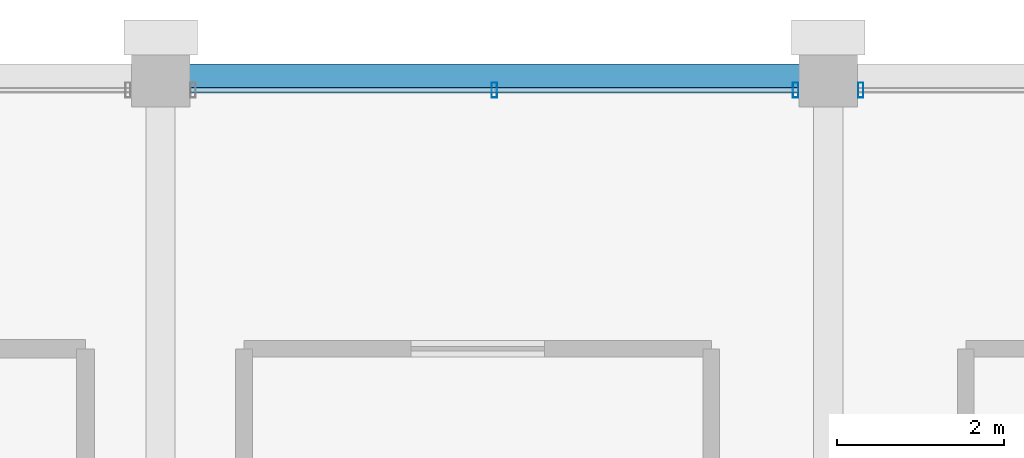
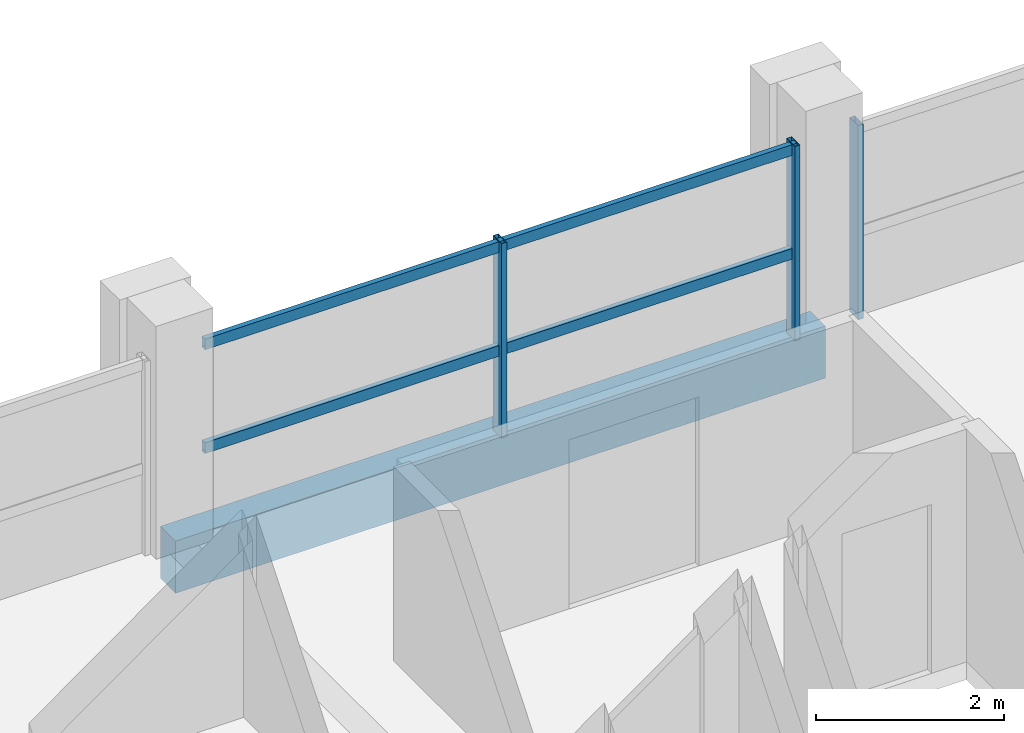
# One storey, part 15 of 25: 5 members, 1 beam, 2 elements without a shape of their own.
"""IFC4 building model written with IfcOpenShell, lengths in metres."""

from ifc_helpers import new_model, si_unit, direction, frame, origin, origin_2d, place, context, subcontext, project, spatial, rectangle, hollow_rectangle, extrude, material, material_profile, profile_set, type_object, element, aggregate, save


model = new_model("IFC4")

# Units and contexts
model_context = context("Model", 3, precision=1e-05, world=origin(), true_north=direction((0.0, 1.0)))
body_context = subcontext(model_context, "Body", "Model", "MODEL_VIEW")
ifc_project = project(units=[si_unit("LENGTHUNIT", "METRE"), si_unit("AREAUNIT", "SQUARE_METRE"), si_unit("VOLUMEUNIT", "CUBIC_METRE"), si_unit("PLANEANGLEUNIT", "RADIAN"), si_unit("MASSUNIT", "GRAM", prefix="KILO")], contexts=[model_context])

# Site, building, storey
site_placement = place(None, origin())
site = spatial("IfcSite", under=ifc_project, at=site_placement, CompositionType="ELEMENT")
building_placement = place(site_placement, origin())
building = spatial("IfcBuilding", under=site, at=building_placement, Name="Akrevak Sports Hall", CompositionType="ELEMENT")
storey_placement = place(building_placement, frame((0.0, 0.0, 50.300048828125)))
storey = spatial("IfcBuildingStorey", under=building, at=storey_placement, Name="L12", CompositionType="ELEMENT", Elevation=50.300048828125)

# Curtain wall, member
ifc_material_1 = material(Name="Anodized Bronze Aluminium & Low-E Glass", Category="aluminium")
curtain_wall_type = type_object("IfcCurtainWallType", Name="ARC-CW-TWR-72x30", PredefinedType="NOTDEFINED", material=ifc_material_1)
curtain_wall_1_placement = place(storey_placement, origin())
curtain_wall_1 = element("IfcCurtainWall", 1, at=curtain_wall_1_placement, inside=storey, type_object=curtain_wall_type, Name="Curtain Wall CW-L12-N22", PredefinedType="NOTDEFINED")
ifc_material_2 = material(Name="Anodized Bronze Aluminium", Category="aluminium")
ifc_material_profile_1 = material_profile(ifc_material_2, hollow_rectangle(XDim=0.06494140625, YDim=0.179931640625, WallThickness=0.00390625, at=origin_2d()), Name="CWM 65x180", Category="aluminium")
ifc_profile_set_1 = profile_set([ifc_material_profile_1], Name="Anodized Bronze Aluminium")
member_type_1 = type_object("IfcMemberType", Name="ARC-CWM-65x140", PredefinedType="MULLION", material=ifc_profile_set_1)
member_1_placement = place(storey_placement, frame((76.389892578125, 69.449951171875, 0.0), z_axis=(0.0, 0.0, 1.0), x_axis=(-1.0, 0.0, 0.0)))
member_1 = element("IfcMember", 2, at=member_1_placement, type_object=member_type_1, Name="Curtain Wall Mullion CW-L12-N22-M3", PredefinedType="MULLION", context=body_context, shape_type="SweptSolid", body=[
    extrude(hollow_rectangle(XDim=0.06494140625, YDim=0.179931640625, WallThickness=0.00390625, at=origin_2d()), origin(), (0.0, 0.0, 1.0), 2.530029296875),
])
aggregate(curtain_wall_1, [member_1])

# Curtain wall, members
curtain_wall_2_placement = place(storey_placement, origin())
curtain_wall_2 = element("IfcCurtainWall", 3, at=curtain_wall_2_placement, inside=storey, type_object=curtain_wall_type, Name="Curtain Wall CW-L12-N23", PredefinedType="NOTDEFINED")
member_2_placement = place(storey_placement, frame((75.610107421875, 69.449951171875, 0.0), z_axis=(0.0, 0.0, 1.0), x_axis=(-1.0, 0.0, 0.0)))
member_2 = element("IfcMember", 4, at=member_2_placement, type_object=member_type_1, Name="Curtain Wall Mullion CW-L12-N23-M1", PredefinedType="MULLION", context=body_context, shape_type="SweptSolid", body=[
    extrude(hollow_rectangle(XDim=0.06494140625, YDim=0.179931640625, WallThickness=0.00390625, at=origin_2d()), origin(), (0.0, 0.0, 1.0), 2.530029296875),
])
member_3_placement = place(storey_placement, frame((72.0, 69.449951171875, 0.0), z_axis=(0.0, 0.0, 1.0), x_axis=(-1.0, 0.0, 0.0)))
member_3 = element("IfcMember", 5, at=member_3_placement, type_object=member_type_1, Name="Curtain Wall Mullion CW-L12-N23-M2", PredefinedType="MULLION", context=body_context, shape_type="SweptSolid", body=[
    extrude(hollow_rectangle(XDim=0.06494140625, YDim=0.179931640625, WallThickness=0.00390625, at=origin_2d()), origin(), (0.0, 0.0, 1.0), 2.530029296875),
])
ifc_material_profile_2 = material_profile(ifc_material_2, hollow_rectangle(XDim=0.06494140625, YDim=0.139892578125, WallThickness=0.00390625, at=origin_2d()), Name="CWT 65x140", Category="aluminium")
ifc_profile_set_2 = profile_set([ifc_material_profile_2], Name="Anodized Bronze Aluminium")
member_type_2 = type_object("IfcMemberType", Name="ARC-CWT-65x110", PredefinedType="USERDEFINED", material=ifc_profile_set_2)
member_4_placement = place(storey_placement, frame((75.64990234375, 69.449951171875, 1.099853515625), z_axis=(-1.0, 0.0, 0.0), x_axis=(0.0, -1.0, 0.0)))
member_4 = element("IfcMember", 6, at=member_4_placement, type_object=member_type_2, Name="Curtain Wall Transom CW-L12-N23-T1", ObjectType="TRANSOM", PredefinedType="USERDEFINED", context=body_context, shape_type="SweptSolid", body=[
    extrude(hollow_rectangle(XDim=0.06494140625, YDim=0.139892578125, WallThickness=0.00390625, at=origin_2d()), origin(), (0.0, 0.0, 1.0), 7.2998046875),
])
member_5_placement = place(storey_placement, frame((75.64990234375, 69.449951171875, 2.449951171875), z_axis=(-1.0, 0.0, 0.0), x_axis=(0.0, -1.0, 0.0)))
member_5 = element("IfcMember", 7, at=member_5_placement, type_object=member_type_2, Name="Curtain Wall Transom CW-L12-N23-T2", ObjectType="TRANSOM", PredefinedType="USERDEFINED", context=body_context, shape_type="SweptSolid", body=[
    extrude(hollow_rectangle(XDim=0.06494140625, YDim=0.139892578125, WallThickness=0.00390625, at=origin_2d()), origin(), (0.0, 0.0, 1.0), 7.2998046875),
])
aggregate(curtain_wall_2, [member_2, member_3, member_4, member_5])

# Beam
ifc_material_3 = material(Name="Concrete C40/50", Category="concrete")
ifc_material_profile_3 = material_profile(ifc_material_3, rectangle(XDim=0.320068359375, YDim=0.679931640625, at=origin_2d()), Name="SPD 320x680", Category="concrete")
ifc_profile_set_3 = profile_set([ifc_material_profile_3], Name="Concrete C40/50")
beam_type = type_object("IfcBeamType", Name="STR-SPD-RC320x680", PredefinedType="SPANDREL", material=ifc_profile_set_3)
beam_placement = place(storey_placement, frame((68.0, 69.60009765625, -0.340087890625), z_axis=(1.0, 0.0, 0.0), x_axis=(0.0, 1.0, 0.0)))
element("IfcBeam", 8, at=beam_placement, inside=storey, type_object=beam_type, Name="Girder K/10-11 (L12)", PredefinedType="SPANDREL", context=body_context, shape_type="SweptSolid", body=[
    extrude(rectangle(XDim=0.320068359375, YDim=0.679931640625, at=origin_2d()), origin(), (0.0, 0.0, 1.0), 8.0),
])

save(model, "model.ifc")
